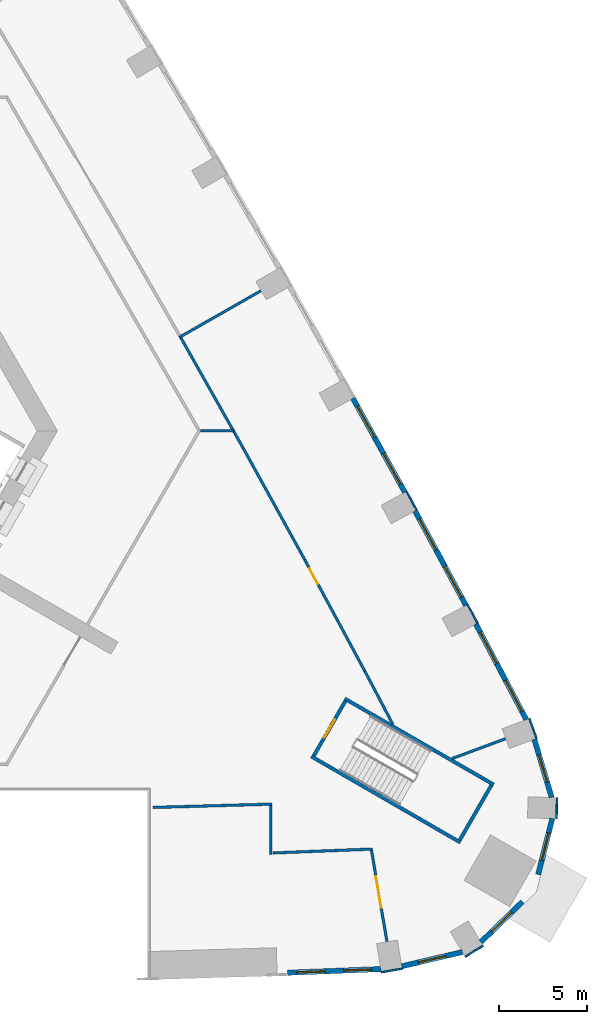
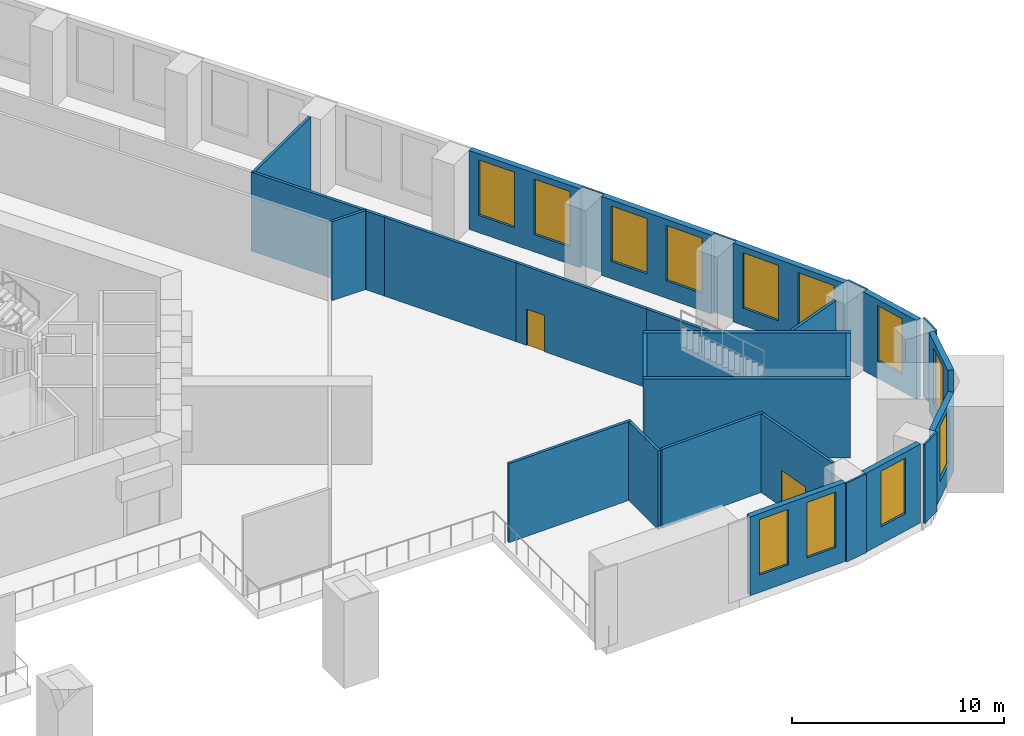
# One storey, part 7 of 16: 30 walls, 12 windows, 3 doors, 15 openings.
"""IFC4 building model written with IfcOpenShell, lengths in metres."""

from ifc_helpers import new_model, si_unit, direction, frame, frame_2d, origin, place, context, subcontext, project, spatial, rectangle, extrude, material, layer, layer_set, type_object, element, fill, save


model = new_model("IFC4")

# Units and contexts
model_context = context("Model", 3, precision=1e-05, world=origin(), true_north=direction((0.0, 1.0)))
body_context = subcontext(model_context, "Body", "Model", "MODEL_VIEW")
ifc_project = project(units=[si_unit("LENGTHUNIT", "METRE"), si_unit("AREAUNIT", "SQUARE_METRE"), si_unit("VOLUMEUNIT", "CUBIC_METRE"), si_unit("PLANEANGLEUNIT", "RADIAN"), si_unit("MASSUNIT", "GRAM", prefix="KILO")], contexts=[model_context])

# Site, building, storey
site_placement = place(None, origin())
site = spatial("IfcSite", under=ifc_project, at=site_placement, CompositionType="ELEMENT")
building_placement = place(site_placement, origin())
building = spatial("IfcBuilding", under=site, at=building_placement, Name="Entoto Arch Interchange Tower", CompositionType="ELEMENT")
storey_placement = place(building_placement, frame((0.0, 0.0, 20.0)))
storey = spatial("IfcBuildingStorey", under=building, at=storey_placement, Name="L03", CompositionType="ELEMENT", Elevation=20.0)

# Walls
ifc_material_1 = material(Name="Gypsum board partition on steel studs", Category="steel")
ifc_layer_1 = layer(ifc_material_1, 0.14990234375)
ifc_layer_set_1 = layer_set([ifc_layer_1], Name="Gypsum board partition on steel studs")
wall_type_1 = type_object("IfcWallType", Name="PARTITION 150", PredefinedType="PARTITIONING", material=ifc_layer_set_1)
wall_1_placement = place(storey_placement, frame((26.0, -18.841064453125, 0.0), z_axis=(0.0, 0.0, 1.0), x_axis=(0.0, -1.0, 0.0)))
element("IfcWall", 1, at=wall_1_placement, inside=storey, type_object=wall_type_1, Name="wall:L03:p036", PredefinedType="PARTITIONING", context=body_context, shape_type="SweptSolid", body=[
    extrude(rectangle(XDim=2.781982421875, YDim=0.14990234375, at=frame_2d((1.39111328125, 0.0))), origin(), (0.0, 0.0, 1.0), 4.550048828125),
])
wall_2_placement = place(storey_placement, frame((26.135009765625, -21.5439453125, 0.0), z_axis=(0.0, 0.0, 1.0), x_axis=(0.999236005504, 0.039082033002, 0.0)))
element("IfcWall", 2, at=wall_2_placement, inside=storey, type_object=wall_type_1, Name="wall:L03:p037", PredefinedType="PARTITIONING", context=body_context, shape_type="SweptSolid", body=[
    extrude(rectangle(XDim=5.678466796875, YDim=0.14990234375, at=frame_2d((2.83935546875, 0.0))), origin(), (0.0, 0.0, 1.0), 4.550048828125),
])

# Wall, opening, door
wall_3_placement = place(storey_placement, frame((31.7470703125, -21.39892578125, 0.0), z_axis=(0.0, 0.0, 1.0), x_axis=(0.166820836651, -0.985987225302, 0.0)))
wall_3 = element("IfcWall", 3, at=wall_3_placement, inside=storey, type_object=wall_type_1, Name="wall:L03:p038", PredefinedType="PARTITIONING", context=body_context, shape_type="SweptSolid", body=[
    extrude(rectangle(XDim=5.2626953125, YDim=0.14990234375, at=frame_2d((2.63134765625, 0.0))), origin(), (0.0, 0.0, 1.0), 4.550048828125),
])
opening_1_placement = place(wall_3_placement, frame((1.5048828125, 0.0, 0.0)))
opening_1 = element("IfcOpeningElement", 4, at=opening_1_placement, cuts=wall_3, Name="Opening L03-D05", PredefinedType="OPENING", context=body_context, shape_type="SweptSolid", body=[
    extrude(rectangle(XDim=1.800048828125, YDim=2.10009765625, at=frame_2d((0.89990234375, 1.050048828125))), frame((0.0, 0.0849609375, 0.0), z_axis=(0.0, -1.0, 0.0), x_axis=(1.0, 0.0, 0.0)), (0.0, 0.0, 1.0), 0.169921875),
])
ifc_material_2 = material(Name="Timber door leaf in Steel S235 frame", Category="steel")
door_type_1 = type_object("IfcDoorType", Name="DOOR DD-18 1800x2100", OperationType="DOUBLE_DOOR_SINGLE_SWING", PredefinedType="DOOR", material=ifc_material_2)
door_1_placement = place(opening_1_placement, origin())
door_1 = element("IfcDoor", 5, at=door_1_placement, inside=storey, type_object=door_type_1, Name="door:L03:05", OperationType="DOUBLE_DOOR_SINGLE_SWING", OverallHeight=2.10009765625, OverallWidth=1.800048828125, PredefinedType="DOOR", context=body_context, shape_type="SweptSolid", body=[
    extrude(rectangle(XDim=1.800048828125, YDim=2.10009765625, at=frame_2d((0.89990234375, 1.050048828125))), frame((0.0, 0.02490234375, 0.0), z_axis=(0.0, -1.0, 0.0), x_axis=(1.0, 0.0, 0.0)), (0.0, 0.0, 1.0), 0.050048828125),
])
fill(opening_1, door_1)

# Walls
wall_4_placement = place(storey_placement, frame((19.300048828125, -18.950927734375, 0.0), z_axis=(0.0, 0.0, 1.0), x_axis=(0.999619238114, 0.027593093203, 0.0)))
element("IfcWall", 6, at=wall_4_placement, inside=storey, type_object=wall_type_1, Name="wall:L03:p039", PredefinedType="PARTITIONING", context=body_context, shape_type="SweptSolid", body=[
    extrude(rectangle(XDim=6.777587890625, YDim=0.14990234375, at=frame_2d((3.388671875, 0.0))), origin(), (0.0, 0.0, 1.0), 4.550048828125),
])
wall_5_placement = place(storey_placement, frame((20.85693359375, 7.85595703125, 0.0), z_axis=(0.0, 0.0, 1.0), x_axis=(0.868547426395, 0.495606061407, 0.0)))
element("IfcWall", 7, at=wall_5_placement, inside=storey, type_object=wall_type_1, Name="wall:L03:p040", PredefinedType="PARTITIONING", context=body_context, shape_type="SweptSolid", body=[
    extrude(rectangle(XDim=5.2802734375, YDim=0.14990234375, at=frame_2d((2.64013671875, 0.0))), origin(), (0.0, 0.0, 1.0), 4.550048828125),
])
wall_6_placement = place(storey_placement, frame((39.3779296875, -15.037109375, 0.0), z_axis=(0.0, 0.0, 1.0), x_axis=(-0.937400028274, -0.348254485961, 0.0)))
element("IfcWall", 8, at=wall_6_placement, inside=storey, type_object=wall_type_1, Name="wall:L03:p041", PredefinedType="PARTITIONING", context=body_context, shape_type="SweptSolid", body=[
    extrude(rectangle(XDim=3.247314453125, YDim=0.14990234375, at=frame_2d((1.62353515625, 0.0))), origin(), (0.0, 0.0, 1.0), 4.550048828125),
])
wall_7_placement = place(storey_placement, frame((32.965087890625, -14.222900390625, 0.0), z_axis=(0.0, 0.0, 1.0), x_axis=(-0.465955257404, 0.884808283244, 0.0)))
element("IfcWall", 9, at=wall_7_placement, inside=storey, type_object=wall_type_1, Name="wall:L03:p042", PredefinedType="PARTITIONING", context=body_context, shape_type="SweptSolid", body=[
    extrude(rectangle(XDim=3.4208984375, YDim=0.14990234375, at=frame_2d((1.71044921875, 0.0))), origin(), (0.0, 0.0, 1.0), 4.550048828125),
])

# Wall, opening, door
wall_8_placement = place(storey_placement, frame((31.37109375, -11.196044921875, 0.0), z_axis=(0.0, 0.0, 1.0), x_axis=(-0.474637598335, 0.880181316688, 0.0)))
wall_8 = element("IfcWall", 10, at=wall_8_placement, inside=storey, type_object=wall_type_1, Name="wall:L03:p043", PredefinedType="PARTITIONING", context=body_context, shape_type="SweptSolid", body=[
    extrude(rectangle(XDim=7.254150390625, YDim=0.14990234375, at=frame_2d((3.626953125, 0.0))), origin(), (0.0, 0.0, 1.0), 4.550048828125),
])
opening_2_placement = place(wall_8_placement, frame((5.657958984375, 0.0, 0.0)))
opening_2 = element("IfcOpeningElement", 11, at=opening_2_placement, cuts=wall_8, Name="Opening L03-D06", PredefinedType="OPENING", context=body_context, shape_type="SweptSolid", body=[
    extrude(rectangle(XDim=1.0, YDim=2.10009765625, at=frame_2d((0.5, 1.050048828125))), frame((0.0, 0.0849609375, 0.0), z_axis=(0.0, -1.0, 0.0), x_axis=(1.0, 0.0, 0.0)), (0.0, 0.0, 1.0), 0.169921875),
])
door_type_2 = type_object("IfcDoorType", Name="DOOR DS-10 1000x2100", OperationType="SINGLE_SWING_LEFT", PredefinedType="DOOR", material=ifc_material_2)
door_2_placement = place(opening_2_placement, origin())
door_2 = element("IfcDoor", 12, at=door_2_placement, inside=storey, type_object=door_type_2, Name="door:L03:06", OperationType="SINGLE_SWING_LEFT", OverallHeight=2.10009765625, OverallWidth=1.0, PredefinedType="DOOR", context=body_context, shape_type="SweptSolid", body=[
    extrude(rectangle(XDim=1.0, YDim=2.10009765625, at=frame_2d((0.5, 1.050048828125))), frame((0.0, 0.02490234375, 0.0), z_axis=(0.0, -1.0, 0.0), x_axis=(1.0, 0.0, 0.0)), (0.0, 0.0, 1.0), 0.050048828125),
])
fill(opening_2, door_2)

# Walls
wall_9_placement = place(storey_placement, frame((27.927978515625, -4.81103515625, 0.0), z_axis=(0.0, 0.0, 1.0), x_axis=(-0.483177018681, 0.875522683098, 0.0)))
element("IfcWall", 13, at=wall_9_placement, inside=storey, type_object=wall_type_1, Name="wall:L03:p044", PredefinedType="PARTITIONING", context=body_context, shape_type="SweptSolid", body=[
    extrude(rectangle(XDim=7.251708984375, YDim=0.14990234375, at=frame_2d((3.6259765625, 0.0))), origin(), (0.0, 0.0, 1.0), 4.550048828125),
])
wall_10_placement = place(storey_placement, frame((24.424072265625, 1.5380859375, 0.0), z_axis=(0.0, 0.0, 1.0), x_axis=(-0.49140879319, 0.87092904302, 0.0)))
element("IfcWall", 14, at=wall_10_placement, inside=storey, type_object=wall_type_1, Name="wall:L03:p045", PredefinedType="PARTITIONING", context=body_context, shape_type="SweptSolid", body=[
    extrude(rectangle(XDim=1.02978515625, YDim=0.14990234375, at=frame_2d((0.514892578125, 0.0))), origin(), (0.0, 0.0, 1.0), 4.550048828125),
])
wall_11_placement = place(storey_placement, frame((23.91796875, 2.43505859375, 0.0), z_axis=(0.0, 0.0, 1.0), x_axis=(-0.491670219182, 0.870781485546, 0.0)))
element("IfcWall", 15, at=wall_11_placement, inside=storey, type_object=wall_type_1, Name="wall:L03:p046", PredefinedType="PARTITIONING", context=body_context, shape_type="SweptSolid", body=[
    extrude(rectangle(XDim=6.298828125, YDim=0.14990234375, at=frame_2d((3.1494140625, 0.0))), origin(), (0.0, 0.0, 1.0), 4.550048828125),
])
wall_12_placement = place(storey_placement, frame((22.013916015625, 2.5, 0.0), z_axis=(0.0, 0.0, 1.0), x_axis=(1.0, 0.0, 0.0)))
element("IfcWall", 16, at=wall_12_placement, inside=storey, type_object=wall_type_1, Name="wall:L03:p077", PredefinedType="PARTITIONING", context=body_context, shape_type="SweptSolid", body=[
    extrude(rectangle(XDim=1.8671875, YDim=0.14990234375, at=frame_2d((0.93359375, 0.0))), origin(), (0.0, 0.0, 1.0), 4.550048828125),
])
ifc_material_3 = material(Name="Concrete C40/50", Category="concrete")
ifc_layer_2 = layer(ifc_material_3, 0.199951171875)
ifc_layer_set_2 = layer_set([ifc_layer_2], Name="Concrete C40/50")
wall_type_2 = type_object("IfcWallType", Name="STAIR ENCLOSURE WALL 200", PredefinedType="STANDARD", material=ifc_layer_set_2)
for number, where, z_axis, x_axis, name in (
    (17, (28.322021484375, -16.044921875, 0.0), (0.0, 0.0, 1.0), (0.866019227021, -0.500010698315, 0.0), "Stair wall PST-SE left"),
    (18, (30.221923828125, -12.7548828125, 0.0), (0.0, 0.0, 1.0), (0.866019227021, -0.500010698315, 0.0), "Stair wall PST-SE right"),
):
    element("IfcWall", number, at=place(storey_placement, frame(where, z_axis=z_axis, x_axis=x_axis)), inside=storey, type_object=wall_type_2, Name=name, PredefinedType="STANDARD", context=body_context, shape_type="SweptSolid", body=[
        extrude(rectangle(XDim=9.800048828125, YDim=0.199951171875, at=frame_2d((4.89990234375, 0.0))), origin(), (0.0, 0.0, 1.0), 4.550048828125),
    ])

# Wall, opening, door
wall_13_placement = place(storey_placement, frame((28.4580078125, -16.009033203125, 0.0), z_axis=(0.0, 0.0, 1.0), x_axis=(0.499982693035, 0.866035395735, 0.0)))
wall_13 = element("IfcWall", 19, at=wall_13_placement, inside=storey, type_object=wall_type_2, Name="Stair wall PST-SE near", PredefinedType="STANDARD", context=body_context, shape_type="SweptSolid", body=[
    extrude(rectangle(XDim=3.600341796875, YDim=0.199951171875, at=frame_2d((1.80029296875, 0.0))), origin(), (0.0, 0.0, 1.0), 4.550048828125),
])
opening_3_placement = place(wall_13_placement, frame((1.199951171875, 0.0, 0.0)))
opening_3 = element("IfcOpeningElement", 20, at=opening_3_placement, cuts=wall_13, Name="Opening SD-PST-SE-L03", PredefinedType="OPENING", context=body_context, shape_type="SweptSolid", body=[
    extrude(rectangle(XDim=1.199951171875, YDim=2.199951171875, at=frame_2d((0.60009765625, 1.10009765625))), frame((0.0, 0.10986328125, 0.0), z_axis=(0.0, -1.0, 0.0), x_axis=(1.0, 0.0, 0.0)), (0.0, 0.0, 1.0), 0.219970703125),
])
ifc_material_4 = material(Name="Steel S235", Category="steel")
door_type_3 = type_object("IfcDoorType", Name="STAIR DOOR SD2 1200x2200", OperationType="SINGLE_SWING_LEFT", PredefinedType="DOOR", material=ifc_material_4)
door_3_placement = place(opening_3_placement, origin())
door_3 = element("IfcDoor", 21, at=door_3_placement, inside=storey, type_object=door_type_3, Name="Stair door PST-SE L03", OperationType="SINGLE_SWING_LEFT", OverallHeight=2.199951171875, OverallWidth=1.199951171875, PredefinedType="DOOR", context=body_context, shape_type="SweptSolid", body=[
    extrude(rectangle(XDim=1.199951171875, YDim=2.199951171875, at=frame_2d((0.60009765625, 1.10009765625))), frame((0.0, 0.02490234375, 0.0), z_axis=(0.0, -1.0, 0.0), x_axis=(1.0, 0.0, 0.0)), (0.0, 0.0, 1.0), 0.050048828125),
])
fill(opening_3, door_3)

# Wall
wall_14_placement = place(storey_placement, frame((36.77197265625, -20.80908203125, 0.0), z_axis=(0.0, 0.0, 1.0), x_axis=(0.49995333141, 0.866052346231, 0.0)))
element("IfcWall", 22, at=wall_14_placement, inside=storey, type_object=wall_type_2, Name="Stair wall PST-SE far", PredefinedType="STANDARD", context=body_context, shape_type="SweptSolid", body=[
    extrude(rectangle(XDim=3.600341796875, YDim=0.199951171875, at=frame_2d((1.80029296875, 0.0))), origin(), (0.0, 0.0, 1.0), 4.550048828125),
])

# Wall, openings, windows
ifc_material_5 = material(Name="Welded tuff (ignimbrite) cladding, warm buff", Category="masonry")
ifc_layer_3 = layer(ifc_material_5, 0.300048828125)
ifc_layer_set_3 = layer_set([ifc_layer_3], Name="Welded tuff (ignimbrite) cladding, warm buff")
wall_type_3 = type_object("IfcWallType", Name="STONE INFILL WALL 300", PredefinedType="STANDARD", material=ifc_layer_set_3)
wall_15_placement = place(storey_placement, frame((26.969970703125, -28.366943359375, 0.0), z_axis=(0.0, 0.0, 1.0), x_axis=(0.999234205654, 0.039128023863, 0.0)))
wall_15 = element("IfcWall", 23, at=wall_15_placement, inside=storey, type_object=wall_type_3, Name="Facade wall S-05 L03", PredefinedType="STANDARD", context=body_context, shape_type="SweptSolid", body=[
    extrude(rectangle(XDim=5.316162109375, YDim=0.300048828125, at=frame_2d((2.658203125, 0.0))), origin(), (0.0, 0.0, 1.0), 4.550048828125),
])
opening_4_placement = place(wall_15_placement, frame((0.529052734375, 0.0, 1.0)))
opening_4 = element("IfcOpeningElement", 24, at=opening_4_placement, cuts=wall_15, Name="Opening WP-C", PredefinedType="OPENING", context=body_context, shape_type="SweptSolid", body=[
    extrude(rectangle(XDim=1.60009765625, YDim=3.199951171875, at=frame_2d((0.800048828125, 1.60009765625))), frame((0.0, 0.16015625, 0.0), z_axis=(0.0, -1.0, 0.0), x_axis=(1.0, 0.0, 0.0)), (0.0, 0.0, 1.0), 0.320068359375),
])
opening_5_placement = place(wall_15_placement, frame((3.18701171875, 0.0, 1.0)))
opening_5 = element("IfcOpeningElement", 25, at=opening_5_placement, cuts=wall_15, Name="Opening WP-C", PredefinedType="OPENING", context=body_context, shape_type="SweptSolid", body=[
    extrude(rectangle(XDim=1.60009765625, YDim=3.199951171875, at=frame_2d((0.800048828125, 1.60009765625))), frame((0.0, 0.16015625, 0.0), z_axis=(0.0, -1.0, 0.0), x_axis=(1.0, 0.0, 0.0)), (0.0, 0.0, 1.0), 0.320068359375),
])
ifc_material_6 = material(Name="Clear glass, low-e double glazed", Category="glass")
window_type_1 = type_object("IfcWindowType", Name="WINDOW WP-C 1600x3200", PartitioningType="DOUBLE_PANEL_VERTICAL", PredefinedType="WINDOW", material=ifc_material_6)
window_1_placement = place(opening_4_placement, origin())
window_1 = element("IfcWindow", 26, at=window_1_placement, inside=storey, type_object=window_type_1, Name="Window WP-C S-05 L03", OverallHeight=3.199951171875, OverallWidth=1.60009765625, PartitioningType="SINGLE_PANEL", PredefinedType="WINDOW", context=body_context, shape_type="SweptSolid", body=[
    extrude(rectangle(XDim=1.60009765625, YDim=3.199951171875, at=frame_2d((0.800048828125, 1.60009765625))), frame((0.0, 0.030029296875, 0.0), z_axis=(0.0, -1.0, 0.0), x_axis=(1.0, 0.0, 0.0)), (0.0, 0.0, 1.0), 0.06005859375),
])
fill(opening_4, window_1)
window_2_placement = place(opening_5_placement, origin())
window_2 = element("IfcWindow", 27, at=window_2_placement, inside=storey, type_object=window_type_1, Name="Window WP-C S-05 L03", OverallHeight=3.199951171875, OverallWidth=1.60009765625, PartitioningType="SINGLE_PANEL", PredefinedType="WINDOW", context=body_context, shape_type="SweptSolid", body=[
    extrude(rectangle(XDim=1.60009765625, YDim=3.199951171875, at=frame_2d((0.800048828125, 1.60009765625))), frame((0.0, 0.030029296875, 0.0), z_axis=(0.0, -1.0, 0.0), x_axis=(1.0, 0.0, 0.0)), (0.0, 0.0, 1.0), 0.06005859375),
])
fill(opening_5, window_2)

# Wall, opening, window
wall_16_placement = place(storey_placement, frame((33.469970703125, -27.9990234375, 0.0), z_axis=(0.0, 0.0, 1.0), x_axis=(0.97357041301, 0.228387063799, 0.0)))
wall_16 = element("IfcWall", 28, at=wall_16_placement, inside=storey, type_object=wall_type_3, Name="Facade wall SE-01 L03", PredefinedType="STANDARD", context=body_context, shape_type="SweptSolid", body=[
    extrude(rectangle(XDim=3.546875, YDim=0.300048828125, at=frame_2d((1.7734375, 0.0))), origin(), (0.0, 0.0, 1.0), 4.550048828125),
])
opening_6_placement = place(wall_16_placement, frame((0.972900390625, 0.0, 1.0)))
opening_6 = element("IfcOpeningElement", 29, at=opening_6_placement, cuts=wall_16, Name="Opening WP-C", PredefinedType="OPENING", context=body_context, shape_type="SweptSolid", body=[
    extrude(rectangle(XDim=1.60009765625, YDim=3.199951171875, at=frame_2d((0.800048828125, 1.60009765625))), frame((0.0, 0.16015625, 0.0), z_axis=(0.0, -1.0, 0.0), x_axis=(1.0, 0.0, 0.0)), (0.0, 0.0, 1.0), 0.320068359375),
])
window_3_placement = place(opening_6_placement, origin())
window_3 = element("IfcWindow", 30, at=window_3_placement, inside=storey, type_object=window_type_1, Name="Window WP-C SE-01 L03", OverallHeight=3.199951171875, OverallWidth=1.60009765625, PartitioningType="SINGLE_PANEL", PredefinedType="WINDOW", context=body_context, shape_type="SweptSolid", body=[
    extrude(rectangle(XDim=1.60009765625, YDim=3.199951171875, at=frame_2d((0.800048828125, 1.60009765625))), frame((0.0, 0.030029296875, 0.0), z_axis=(0.0, -1.0, 0.0), x_axis=(1.0, 0.0, 0.0)), (0.0, 0.0, 1.0), 0.06005859375),
])
fill(opening_6, window_3)

wall_17_placement = place(storey_placement, frame((37.97998046875, -26.62109375, 0.0), z_axis=(0.0, 0.0, 1.0), x_axis=(0.717527250225, 0.696530433782, 0.0)))
wall_17 = element("IfcWall", 31, at=wall_17_placement, inside=storey, type_object=wall_type_3, Name="Facade wall SE-02 L03", PredefinedType="STANDARD", context=body_context, shape_type="SweptSolid", body=[
    extrude(rectangle(XDim=3.29052734375, YDim=0.300048828125, at=frame_2d((1.645263671875, 0.0))), origin(), (0.0, 0.0, 1.0), 4.550048828125),
])
opening_7_placement = place(wall_17_placement, frame((0.844970703125, 0.0, 1.0)))
opening_7 = element("IfcOpeningElement", 32, at=opening_7_placement, cuts=wall_17, Name="Opening WP-C", PredefinedType="OPENING", context=body_context, shape_type="SweptSolid", body=[
    extrude(rectangle(XDim=1.60009765625, YDim=3.199951171875, at=frame_2d((0.800048828125, 1.60009765625))), frame((0.0, 0.16015625, 0.0), z_axis=(0.0, -1.0, 0.0), x_axis=(1.0, 0.0, 0.0)), (0.0, 0.0, 1.0), 0.320068359375),
])
window_4_placement = place(opening_7_placement, origin())
window_4 = element("IfcWindow", 33, at=window_4_placement, inside=storey, type_object=window_type_1, Name="Window WP-C SE-02 L03", OverallHeight=3.199951171875, OverallWidth=1.60009765625, PartitioningType="SINGLE_PANEL", PredefinedType="WINDOW", context=body_context, shape_type="SweptSolid", body=[
    extrude(rectangle(XDim=1.60009765625, YDim=3.199951171875, at=frame_2d((0.800048828125, 1.60009765625))), frame((0.0, 0.030029296875, 0.0), z_axis=(0.0, -1.0, 0.0), x_axis=(1.0, 0.0, 0.0)), (0.0, 0.0, 1.0), 0.06005859375),
])
fill(opening_7, window_4)

wall_18_placement = place(storey_placement, frame((41.239990234375, -22.77197265625, 0.0), z_axis=(0.0, 0.0, 1.0), x_axis=(0.244315836028, 0.969695711172, 0.0)))
wall_18 = element("IfcWall", 34, at=wall_18_placement, inside=storey, type_object=wall_type_3, Name="Facade wall SE-03 L03", PredefinedType="STANDARD", context=body_context, shape_type="SweptSolid", body=[
    extrude(rectangle(XDim=3.29052734375, YDim=0.300048828125, at=frame_2d((1.645263671875, 0.0))), origin(), (0.0, 0.0, 1.0), 4.550048828125),
])
opening_8_placement = place(wall_18_placement, frame((0.844970703125, 0.0, 1.0)))
opening_8 = element("IfcOpeningElement", 35, at=opening_8_placement, cuts=wall_18, Name="Opening WP-C", PredefinedType="OPENING", context=body_context, shape_type="SweptSolid", body=[
    extrude(rectangle(XDim=1.60009765625, YDim=3.199951171875, at=frame_2d((0.800048828125, 1.60009765625))), frame((0.0, 0.16015625, 0.0), z_axis=(0.0, -1.0, 0.0), x_axis=(1.0, 0.0, 0.0)), (0.0, 0.0, 1.0), 0.320068359375),
])
window_5_placement = place(opening_8_placement, origin())
window_5 = element("IfcWindow", 36, at=window_5_placement, inside=storey, type_object=window_type_1, Name="Window WP-C SE-03 L03", OverallHeight=3.199951171875, OverallWidth=1.60009765625, PartitioningType="SINGLE_PANEL", PredefinedType="WINDOW", context=body_context, shape_type="SweptSolid", body=[
    extrude(rectangle(XDim=1.60009765625, YDim=3.199951171875, at=frame_2d((0.800048828125, 1.60009765625))), frame((0.0, 0.030029296875, 0.0), z_axis=(0.0, -1.0, 0.0), x_axis=(1.0, 0.0, 0.0)), (0.0, 0.0, 1.0), 0.06005859375),
])
fill(opening_8, window_5)

wall_19_placement = place(storey_placement, frame((42.010986328125, -18.382080078125, 0.0), z_axis=(0.0, 0.0, 1.0), x_axis=(-0.285800575124, 0.958289116738, 0.0)))
wall_19 = element("IfcWall", 37, at=wall_19_placement, inside=storey, type_object=wall_type_3, Name="Facade wall SE-04 L03", PredefinedType="STANDARD", context=body_context, shape_type="SweptSolid", body=[
    extrude(rectangle(XDim=3.46044921875, YDim=0.300048828125, at=frame_2d((1.730224609375, 0.0))), origin(), (0.0, 0.0, 1.0), 4.550048828125),
])
opening_9_placement = place(wall_19_placement, frame((0.929931640625, 0.0, 1.0)))
opening_9 = element("IfcOpeningElement", 38, at=opening_9_placement, cuts=wall_19, Name="Opening WP-C", PredefinedType="OPENING", context=body_context, shape_type="SweptSolid", body=[
    extrude(rectangle(XDim=1.60009765625, YDim=3.199951171875, at=frame_2d((0.800048828125, 1.60009765625))), frame((0.0, 0.16015625, 0.0), z_axis=(0.0, -1.0, 0.0), x_axis=(1.0, 0.0, 0.0)), (0.0, 0.0, 1.0), 0.320068359375),
])
window_6_placement = place(opening_9_placement, origin())
window_6 = element("IfcWindow", 39, at=window_6_placement, inside=storey, type_object=window_type_1, Name="Window WP-C SE-04 L03", OverallHeight=3.199951171875, OverallWidth=1.60009765625, PartitioningType="SINGLE_PANEL", PredefinedType="WINDOW", context=body_context, shape_type="SweptSolid", body=[
    extrude(rectangle(XDim=1.60009765625, YDim=3.199951171875, at=frame_2d((0.800048828125, 1.60009765625))), frame((0.0, 0.030029296875, 0.0), z_axis=(0.0, -1.0, 0.0), x_axis=(1.0, 0.0, 0.0)), (0.0, 0.0, 1.0), 0.06005859375),
])
fill(opening_9, window_6)

# Wall, openings, windows
wall_20_placement = place(storey_placement, frame((40.568115234375, -13.9560546875, 0.0), z_axis=(0.0, 0.0, 1.0), x_axis=(-0.466125129602, 0.884718804792, 0.0)))
wall_20 = element("IfcWall", 40, at=wall_20_placement, inside=storey, type_object=wall_type_3, Name="Facade wall NE-01 L03", PredefinedType="STANDARD", context=body_context, shape_type="SweptSolid", body=[
    extrude(rectangle(XDim=6.16357421875, YDim=0.300048828125, at=frame_2d((3.081787109375, 0.0))), origin(), (0.0, 0.0, 1.0), 4.550048828125),
])
opening_10_placement = place(wall_20_placement, frame((0.541015625, 0.0, 1.0)))
opening_10 = element("IfcOpeningElement", 41, at=opening_10_placement, cuts=wall_20, Name="Opening WP-E", PredefinedType="OPENING", context=body_context, shape_type="SweptSolid", body=[
    extrude(rectangle(XDim=2.0, YDim=3.199951171875, at=frame_2d((1.0, 1.60009765625))), frame((0.0, 0.16015625, 0.0), z_axis=(0.0, -1.0, 0.0), x_axis=(1.0, 0.0, 0.0)), (0.0, 0.0, 1.0), 0.320068359375),
])
opening_11_placement = place(wall_20_placement, frame((3.623046875, 0.0, 1.0)))
opening_11 = element("IfcOpeningElement", 42, at=opening_11_placement, cuts=wall_20, Name="Opening WP-E", PredefinedType="OPENING", context=body_context, shape_type="SweptSolid", body=[
    extrude(rectangle(XDim=2.0, YDim=3.199951171875, at=frame_2d((1.0, 1.60009765625))), frame((0.0, 0.16015625, 0.0), z_axis=(0.0, -1.0, 0.0), x_axis=(1.0, 0.0, 0.0)), (0.0, 0.0, 1.0), 0.320068359375),
])
window_type_2 = type_object("IfcWindowType", Name="WINDOW WP-E 2000x3200", PartitioningType="DOUBLE_PANEL_VERTICAL", PredefinedType="WINDOW", material=ifc_material_6)
window_7_placement = place(opening_10_placement, origin())
window_7 = element("IfcWindow", 43, at=window_7_placement, inside=storey, type_object=window_type_2, Name="Window WP-E NE-01 L03", OverallHeight=3.199951171875, OverallWidth=2.0, PartitioningType="SINGLE_PANEL", PredefinedType="WINDOW", context=body_context, shape_type="SweptSolid", body=[
    extrude(rectangle(XDim=2.0, YDim=3.199951171875, at=frame_2d((1.0, 1.60009765625))), frame((0.0, 0.030029296875, 0.0), z_axis=(0.0, -1.0, 0.0), x_axis=(1.0, 0.0, 0.0)), (0.0, 0.0, 1.0), 0.06005859375),
])
fill(opening_10, window_7)
window_8_placement = place(opening_11_placement, origin())
window_8 = element("IfcWindow", 44, at=window_8_placement, inside=storey, type_object=window_type_2, Name="Window WP-E NE-01 L03", OverallHeight=3.199951171875, OverallWidth=2.0, PartitioningType="SINGLE_PANEL", PredefinedType="WINDOW", context=body_context, shape_type="SweptSolid", body=[
    extrude(rectangle(XDim=2.0, YDim=3.199951171875, at=frame_2d((1.0, 1.60009765625))), frame((0.0, 0.030029296875, 0.0), z_axis=(0.0, -1.0, 0.0), x_axis=(1.0, 0.0, 0.0)), (0.0, 0.0, 1.0), 0.06005859375),
])
fill(opening_11, window_8)

wall_21_placement = place(storey_placement, frame((37.131103515625, -7.446044921875, 0.0), z_axis=(0.0, 0.0, 1.0), x_axis=(-0.474584950749, 0.880209704856, 0.0)))
wall_21 = element("IfcWall", 45, at=wall_21_placement, inside=storey, type_object=wall_type_3, Name="Facade wall NE-02 L03", PredefinedType="STANDARD", context=body_context, shape_type="SweptSolid", body=[
    extrude(rectangle(XDim=6.12109375, YDim=0.300048828125, at=frame_2d((3.060546875, 0.0))), origin(), (0.0, 0.0, 1.0), 4.550048828125),
])
opening_12_placement = place(wall_21_placement, frame((0.530029296875, 0.0, 1.0)))
opening_12 = element("IfcOpeningElement", 46, at=opening_12_placement, cuts=wall_21, Name="Opening WP-E", PredefinedType="OPENING", context=body_context, shape_type="SweptSolid", body=[
    extrude(rectangle(XDim=2.0, YDim=3.199951171875, at=frame_2d((1.0, 1.60009765625))), frame((0.0, 0.16015625, 0.0), z_axis=(0.0, -1.0, 0.0), x_axis=(1.0, 0.0, 0.0)), (0.0, 0.0, 1.0), 0.320068359375),
])
opening_13_placement = place(wall_21_placement, frame((3.591064453125, 0.0, 1.0)))
opening_13 = element("IfcOpeningElement", 47, at=opening_13_placement, cuts=wall_21, Name="Opening WP-E", PredefinedType="OPENING", context=body_context, shape_type="SweptSolid", body=[
    extrude(rectangle(XDim=2.0, YDim=3.199951171875, at=frame_2d((1.0, 1.60009765625))), frame((0.0, 0.16015625, 0.0), z_axis=(0.0, -1.0, 0.0), x_axis=(1.0, 0.0, 0.0)), (0.0, 0.0, 1.0), 0.320068359375),
])
window_9_placement = place(opening_12_placement, origin())
window_9 = element("IfcWindow", 48, at=window_9_placement, inside=storey, type_object=window_type_2, Name="Window WP-E NE-02 L03", OverallHeight=3.199951171875, OverallWidth=2.0, PartitioningType="SINGLE_PANEL", PredefinedType="WINDOW", context=body_context, shape_type="SweptSolid", body=[
    extrude(rectangle(XDim=2.0, YDim=3.199951171875, at=frame_2d((1.0, 1.60009765625))), frame((0.0, 0.030029296875, 0.0), z_axis=(0.0, -1.0, 0.0), x_axis=(1.0, 0.0, 0.0)), (0.0, 0.0, 1.0), 0.06005859375),
])
fill(opening_12, window_9)
window_10_placement = place(opening_13_placement, origin())
window_10 = element("IfcWindow", 49, at=window_10_placement, inside=storey, type_object=window_type_2, Name="Window WP-E NE-02 L03", OverallHeight=3.199951171875, OverallWidth=2.0, PartitioningType="SINGLE_PANEL", PredefinedType="WINDOW", context=body_context, shape_type="SweptSolid", body=[
    extrude(rectangle(XDim=2.0, YDim=3.199951171875, at=frame_2d((1.0, 1.60009765625))), frame((0.0, 0.030029296875, 0.0), z_axis=(0.0, -1.0, 0.0), x_axis=(1.0, 0.0, 0.0)), (0.0, 0.0, 1.0), 0.06005859375),
])
fill(opening_13, window_10)

wall_22_placement = place(storey_placement, frame((33.652099609375, -1.006103515625, 0.0), z_axis=(0.0, 0.0, 1.0), x_axis=(-0.483233380559, 0.875491576152, 0.0)))
wall_22 = element("IfcWall", 50, at=wall_22_placement, inside=storey, type_object=wall_type_3, Name="Facade wall NE-03 L03", PredefinedType="STANDARD", context=body_context, shape_type="SweptSolid", body=[
    extrude(rectangle(XDim=6.121337890625, YDim=0.300048828125, at=frame_2d((3.060546875, 0.0))), origin(), (0.0, 0.0, 1.0), 4.550048828125),
])
opening_14_placement = place(wall_22_placement, frame((0.530029296875, 0.0, 1.0)))
opening_14 = element("IfcOpeningElement", 51, at=opening_14_placement, cuts=wall_22, Name="Opening WP-E", PredefinedType="OPENING", context=body_context, shape_type="SweptSolid", body=[
    extrude(rectangle(XDim=2.0, YDim=3.199951171875, at=frame_2d((1.0, 1.60009765625))), frame((0.0, 0.16015625, 0.0), z_axis=(0.0, -1.0, 0.0), x_axis=(1.0, 0.0, 0.0)), (0.0, 0.0, 1.0), 0.320068359375),
])
opening_15_placement = place(wall_22_placement, frame((3.591064453125, 0.0, 1.0)))
opening_15 = element("IfcOpeningElement", 52, at=opening_15_placement, cuts=wall_22, Name="Opening WP-E", PredefinedType="OPENING", context=body_context, shape_type="SweptSolid", body=[
    extrude(rectangle(XDim=2.0, YDim=3.199951171875, at=frame_2d((1.0, 1.60009765625))), frame((0.0, 0.16015625, 0.0), z_axis=(0.0, -1.0, 0.0), x_axis=(1.0, 0.0, 0.0)), (0.0, 0.0, 1.0), 0.320068359375),
])
window_11_placement = place(opening_14_placement, origin())
window_11 = element("IfcWindow", 53, at=window_11_placement, inside=storey, type_object=window_type_2, Name="Window WP-E NE-03 L03", OverallHeight=3.199951171875, OverallWidth=2.0, PartitioningType="SINGLE_PANEL", PredefinedType="WINDOW", context=body_context, shape_type="SweptSolid", body=[
    extrude(rectangle(XDim=2.0, YDim=3.199951171875, at=frame_2d((1.0, 1.60009765625))), frame((0.0, 0.030029296875, 0.0), z_axis=(0.0, -1.0, 0.0), x_axis=(1.0, 0.0, 0.0)), (0.0, 0.0, 1.0), 0.06005859375),
])
fill(opening_14, window_11)
window_12_placement = place(opening_15_placement, origin())
window_12 = element("IfcWindow", 54, at=window_12_placement, inside=storey, type_object=window_type_2, Name="Window WP-E NE-03 L03", OverallHeight=3.199951171875, OverallWidth=2.0, PartitioningType="SINGLE_PANEL", PredefinedType="WINDOW", context=body_context, shape_type="SweptSolid", body=[
    extrude(rectangle(XDim=2.0, YDim=3.199951171875, at=frame_2d((1.0, 1.60009765625))), frame((0.0, 0.030029296875, 0.0), z_axis=(0.0, -1.0, 0.0), x_axis=(1.0, 0.0, 0.0)), (0.0, 0.0, 1.0), 0.06005859375),
])
fill(opening_15, window_12)

# Walls
ifc_layer_4 = layer(ifc_material_5, 0.10009765625)
ifc_layer_set_4 = layer_set([ifc_layer_4], Name="Welded tuff (ignimbrite) cladding, warm buff")
wall_type_4 = type_object("IfcWallType", Name="STONE PIER CLADDING 100", PredefinedType="STANDARD", material=ifc_layer_set_4)
wall_23_placement = place(storey_placement, frame((41.153076171875, -15.01806640625, 0.0), z_axis=(0.0, 0.0, 1.0), x_axis=(-0.348268249601, 0.937394914814, 0.0)))
element("IfcWall", 55, at=wall_23_placement, inside=storey, type_object=wall_type_4, Name="Stone pier NE01 L03", PredefinedType="STANDARD", context=body_context, shape_type="SweptSolid", body=[
    extrude(rectangle(XDim=1.2001953125, YDim=0.10009765625, at=frame_2d((0.60009765625, 0.0))), origin(), (0.0, 0.0, 1.0), 4.550048828125),
])
wall_24_placement = place(storey_placement, frame((37.784912109375, -8.4560546875, 0.0), z_axis=(0.0, 0.0, 1.0), x_axis=(-0.469383408131, 0.882994459876, 0.0)))
element("IfcWall", 56, at=wall_24_placement, inside=storey, type_object=wall_type_4, Name="Stone pier NE02 L03", PredefinedType="STANDARD", context=body_context, shape_type="SweptSolid", body=[
    extrude(rectangle(XDim=1.199462890625, YDim=0.10009765625, at=frame_2d((0.599609375, 0.0))), origin(), (0.0, 0.0, 1.0), 4.550048828125),
])
wall_25_placement = place(storey_placement, frame((34.31591796875, -2.010009765625, 0.0), z_axis=(0.0, 0.0, 1.0), x_axis=(-0.478267644701, 0.878214131082, 0.0)))
element("IfcWall", 57, at=wall_25_placement, inside=storey, type_object=wall_type_4, Name="Stone pier NE03 L03", PredefinedType="STANDARD", context=body_context, shape_type="SweptSolid", body=[
    extrude(rectangle(XDim=1.2001953125, YDim=0.10009765625, at=frame_2d((0.60009765625, 0.0))), origin(), (0.0, 0.0, 1.0), 4.550048828125),
])
wall_26_placement = place(storey_placement, frame((32.31103515625, -28.3349609375, 0.0), z_axis=(0.0, 0.0, 1.0), x_axis=(0.986011774526, 0.166675674579, 0.0)))
element("IfcWall", 58, at=wall_26_placement, inside=storey, type_object=wall_type_4, Name="Stone pier S06 L03", PredefinedType="STANDARD", context=body_context, shape_type="SweptSolid", body=[
    extrude(rectangle(XDim=1.19970703125, YDim=0.10009765625, at=frame_2d((0.599853515625, 0.0))), origin(), (0.0, 0.0, 1.0), 4.550048828125),
])
for number, where, z_axis, x_axis, name in (
    (59, (37.080078125, -27.448974609375, 0.0), (0.0, 0.0, 1.0), (0.854716608594, 0.519094903649, 0.0), "Stone pier SE1 L03"),
    (60, (42.283935546875, -19.587890625, 0.0), (0.0, 0.0, 1.0), (0.023391359968, 0.999726384707, 0.0), "Stone pier SE3 L03"),
):
    element("IfcWall", number, at=place(storey_placement, frame(where, z_axis=z_axis, x_axis=x_axis)), inside=storey, type_object=wall_type_4, Name=name, PredefinedType="STANDARD", context=body_context, shape_type="SweptSolid", body=[
        extrude(rectangle(XDim=1.2001953125, YDim=0.10009765625, at=frame_2d((0.60009765625, 0.0))), origin(), (0.0, 0.0, 1.0), 4.550048828125),
    ])

save(model, "model.ifc")
